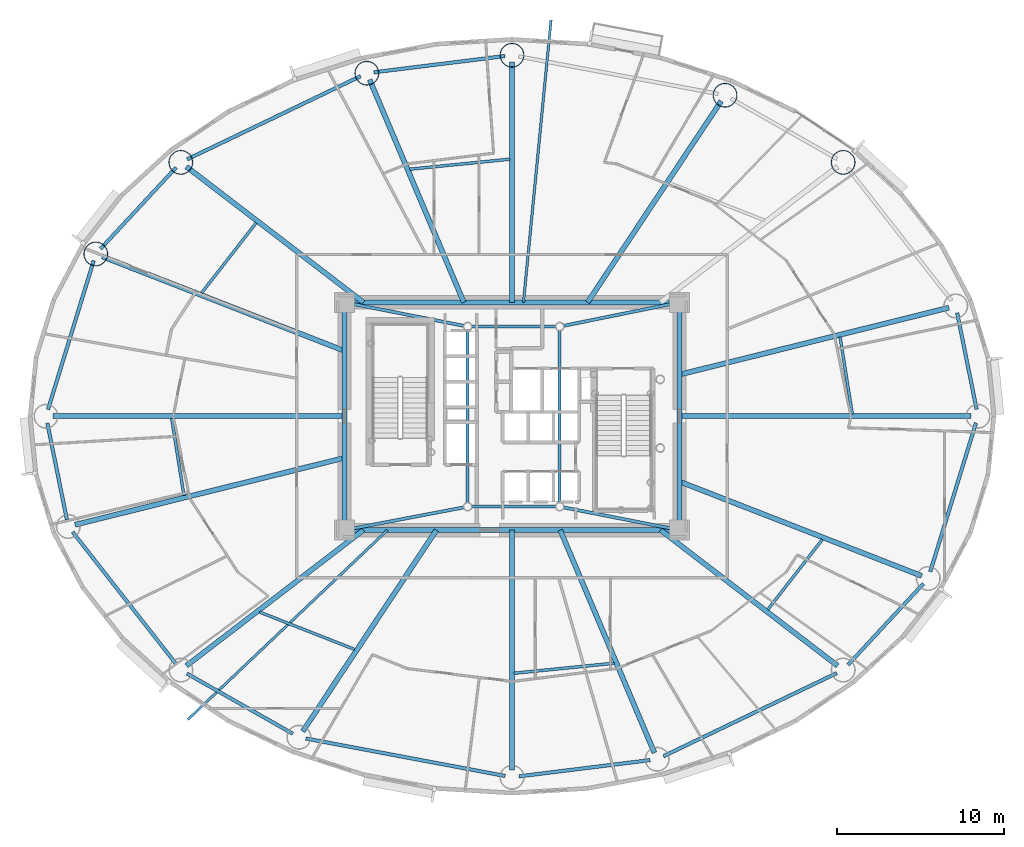
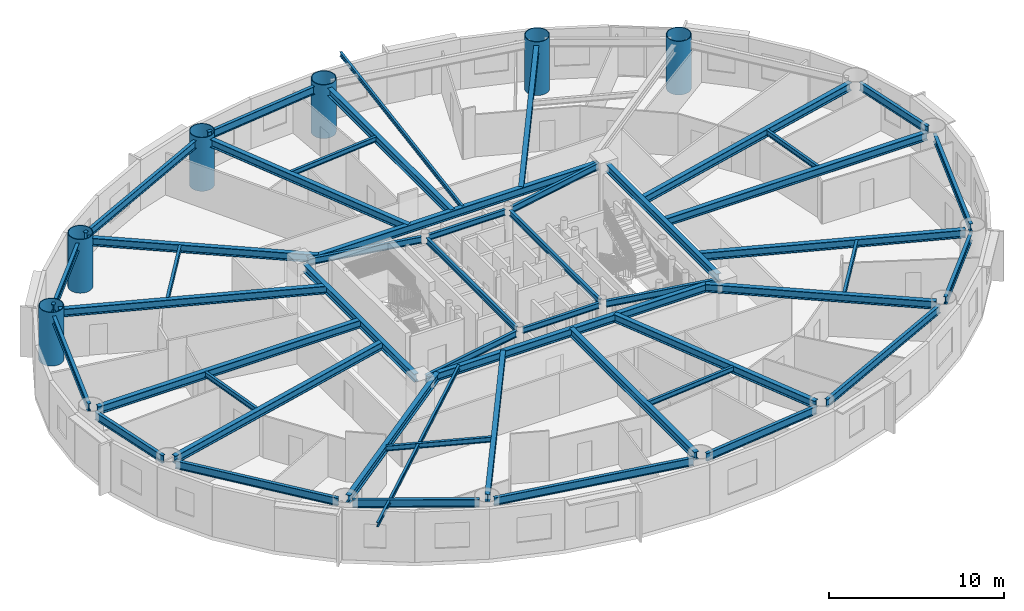
# One storey, part 3 of 20: 49 beams, 6 columns.
"""IFC4 building model written with IfcOpenShell, lengths in metres."""

import ifcopenshell
import ifcopenshell.guid

model = None  # the IFC model being written
_history = None  # IfcOwnerHistory: only IFC2X3 demands one
_inside = {}  # id of a spatial element -> (the spatial element, [elements in it])
_under = {}  # id of a project, library or spatial element -> (it, [spatial elements below it])
_declared = {}  # id of a project -> (the project, [libraries it declares])
_typed = {}  # id of a type object -> (the type object, [elements of that type])
_made_of = {}  # id of a material, layer set ... -> (it, [elements and type objects made of it])


def new_model(schema):
    """Start an empty IFC model of exactly this schema.

    Asked for "IFC4X3", IfcOpenShell would pick the latest addendum, in which some entities
    have other attributes; the version numbers below select the first issue.
    IFC2X3 requires an IfcOwnerHistory on every rooted entity: one is made here for all.
    """
    global model, _history
    if schema == "IFC4X3":
        model = ifcopenshell.file(schema_version=(4, 3, 0, 0))
    else:
        model = ifcopenshell.file(schema=schema)
    _inside.clear()
    _under.clear()
    _declared.clear()
    _typed.clear()
    _made_of.clear()
    _history = None
    if model.schema == "IFC2X3":
        org = make("IfcOrganization", Name="unknown")
        user = make(
            "IfcPersonAndOrganization",
            ThePerson=make("IfcPerson", FamilyName="unknown"),
            TheOrganization=org,
        )
        app = make(
            "IfcApplication",
            ApplicationDeveloper=org,
            Version="unknown",
            ApplicationFullName="unknown",
            ApplicationIdentifier="unknown",
        )
        _history = make(
            "IfcOwnerHistory",
            OwningUser=user,
            OwningApplication=app,
            ChangeAction="ADDED",
            CreationDate=0,
        )
    return model


def make(cls, **values):
    """One entity of the class cls with the attributes given. An attribute that is None is left unset."""
    return model.create_entity(
        cls, **{name: value for name, value in values.items() if value is not None}
    )


def rooted(cls, **values):
    """An entity with a GlobalId (a new one), such as an element, a storey or a relation."""
    return make(cls, GlobalId=ifcopenshell.guid.new(), OwnerHistory=_history, **values)


def si_unit(unit_type, name, prefix=None):
    """IfcSIUnit, for example si_unit("LENGTHUNIT", "METRE", prefix="MILLI")."""
    return make("IfcSIUnit", UnitType=unit_type, Prefix=prefix, Name=name)


def assignment(units):
    """IfcUnitAssignment: the units of a project."""
    return None if units is None else make("IfcUnitAssignment", Units=units)


def point(xyz):
    """IfcCartesianPoint."""
    return None if xyz is None else make("IfcCartesianPoint", Coordinates=xyz)


def direction(xyz):
    """IfcDirection."""
    return None if xyz is None else make("IfcDirection", DirectionRatios=xyz)


def frame(location, z_axis=None, x_axis=None):
    """IfcAxis2Placement3D, a coordinate frame: its origin and axes. An axis left out is left unset."""
    return make(
        "IfcAxis2Placement3D",
        Location=point(location),
        Axis=direction(z_axis),
        RefDirection=direction(x_axis),
    )


def frame_2d(location, x_axis=None):
    """IfcAxis2Placement2D, a coordinate frame in the plane: its origin and x axis."""
    return make(
        "IfcAxis2Placement2D", Location=point(location), RefDirection=direction(x_axis)
    )


def origin():
    """The frame at (0, 0, 0) with its axes left unset."""
    return frame((0.0, 0.0, 0.0))


def origin_2d():
    """The frame at (0, 0) in the plane with its x axis left unset."""
    return frame_2d((0.0, 0.0))


def place(relative_to, where):
    """IfcLocalPlacement: puts the frame where relative to a parent placement (None: the world)."""
    return make(
        "IfcLocalPlacement", PlacementRelTo=relative_to, RelativePlacement=where
    )


def context(
    kind, dimensions, precision=None, world=None, true_north=None, identifier=None
):
    """IfcGeometricRepresentationContext, for example the 3D "Model" context."""
    return make(
        "IfcGeometricRepresentationContext",
        ContextIdentifier=identifier,
        ContextType=kind,
        CoordinateSpaceDimension=dimensions,
        Precision=precision,
        WorldCoordinateSystem=world,
        TrueNorth=true_north,
    )


def subcontext(parent, identifier, kind, view, scale=None):
    """IfcGeometricRepresentationSubContext, for example "Body" below "Model"."""
    return make(
        "IfcGeometricRepresentationSubContext",
        ContextIdentifier=identifier,
        ContextType=kind,
        ParentContext=parent,
        TargetScale=scale,
        TargetView=view,
    )


def project(units=None, contexts=None):
    """IfcProject with its units and contexts."""
    return rooted(
        "IfcProject",
        Name="project",
        RepresentationContexts=contexts,
        UnitsInContext=assignment(units),
    )


def spatial(cls, under=None, at=None, **own):
    """A site, building, storey or space (cls), placed at a placement, below another one or the project."""
    s = rooted(cls, ObjectPlacement=at, **own)
    if under is not None:
        _under.setdefault(under.id(), (under, []))[1].append(s)
    return s


def profile(cls, at=None, kind="AREA", **sizes):
    """A parametric profile (cls). Its sizes go by their IFC names, for example OverallWidth=200.0."""
    return make(cls, ProfileType=kind, Position=at, **sizes)


def hollow_circle(**sizes):
    """IfcCircleHollowProfileDef."""
    return profile("IfcCircleHollowProfileDef", **sizes)


def i_section(**sizes):
    """IfcIShapeProfileDef."""
    return profile("IfcIShapeProfileDef", **sizes)


def extrude(swept, where, along, depth):
    """IfcExtrudedAreaSolid: the profile swept, set in the frame where, extruded along a direction by depth."""
    return make(
        "IfcExtrudedAreaSolid",
        SweptArea=swept,
        Position=where,
        ExtrudedDirection=direction(along),
        Depth=depth,
    )


def shape(context_of_items, identifier, shape_type, items):
    """IfcShapeRepresentation: the items that make up one representation, for example the "Body"."""
    return make(
        "IfcShapeRepresentation",
        ContextOfItems=context_of_items,
        RepresentationIdentifier=identifier,
        RepresentationType=shape_type,
        Items=items,
    )


def material(Name=None, Category=None):
    """IfcMaterial."""
    return make("IfcMaterial", Name=Name, Category=Category)


def material_profile(
    of_material, cross_section, Name=None, Category=None, Priority=None
):
    """IfcMaterialProfile: a cross section and its material."""
    return make(
        "IfcMaterialProfile",
        Name=Name,
        Material=of_material,
        Profile=cross_section,
        Priority=Priority,
        Category=Category,
    )


def profile_set(profiles, Name=None, composite=None):
    """IfcMaterialProfileSet."""
    return make(
        "IfcMaterialProfileSet",
        Name=Name,
        MaterialProfiles=profiles,
        CompositeProfile=composite,
    )


def made_of(thing, what):
    """Note that an element or type object is made of a material, layer set ...; save() writes the relation."""
    if what is not None:
        _made_of.setdefault(what.id(), (what, []))[1].append(thing)
    return thing


def type_object(cls, material=None, **own):
    """A type object (cls), such as IfcWallType, which elements share."""
    return made_of(rooted(cls, **own), material)


def element(
    cls,
    number,
    at=None,
    inside=None,
    cuts=None,
    type_object=None,
    material=None,
    context=None,
    identifier="Body",
    shape_type=None,
    held_by="IfcProductDefinitionShape",
    body=None,
    shapes=None,
    **own,
):
    """One element of the class cls, such as IfcWall. Its Tag is "e" and its number.

    at: its placement. inside: the storey or other place that contains it. cuts: it is an
    opening in that element (IfcRelVoidsElement). A single representation is given by context,
    identifier, shape_type and body (its items); several are given by shapes. held_by: the class
    of the entity that holds the representations. save() writes the other relations.
    """
    e = rooted(cls, Tag="e%d" % number, ObjectPlacement=at, **own)
    if body is not None:
        shapes = [shape(context, identifier, shape_type, body)]
    if shapes is not None:
        e.Representation = make(held_by, Representations=shapes)
    if inside is not None:
        _inside.setdefault(inside.id(), (inside, []))[1].append(e)
    if cuts is not None:
        rooted(
            "IfcRelVoidsElement", RelatingBuildingElement=cuts, RelatedOpeningElement=e
        )
    if type_object is not None:
        _typed.setdefault(type_object.id(), (type_object, []))[1].append(e)
    return made_of(e, material)


def aggregate(whole, parts):
    """IfcRelAggregates: a whole, such as a stair, and the parts it consists of."""
    return rooted("IfcRelAggregates", RelatingObject=whole, RelatedObjects=parts)


def save(model, path):
    """Write the relations noted so far, then the file.

    IfcRelAggregates (storeys below a building ...), IfcRelContainedInSpatialStructure (elements
    in a storey), IfcRelDefinesByType, IfcRelAssociatesMaterial and IfcRelDeclares: one each for
    every whole, place, type object, material and project.
    """
    for whole, parts in _under.values():
        aggregate(whole, parts)
    for where, things in _inside.values():
        rooted(
            "IfcRelContainedInSpatialStructure",
            RelatedElements=things,
            RelatingStructure=where,
        )
    for kind, things in _typed.values():
        rooted("IfcRelDefinesByType", RelatedObjects=things, RelatingType=kind)
    for what, things in _made_of.values():
        rooted("IfcRelAssociatesMaterial", RelatedObjects=things, RelatingMaterial=what)
    for by, libraries in _declared.values():
        rooted("IfcRelDeclares", RelatingContext=by, RelatedDefinitions=libraries)
    model.write(path)


model = new_model("IFC4")

# Units and contexts
model_context = context("Model", 3, precision=1e-05, world=origin(), true_north=direction((0.0, 1.0)))
body_context = subcontext(model_context, "Body", "Model", "MODEL_VIEW")
ifc_project = project(units=[si_unit("LENGTHUNIT", "METRE"), si_unit("AREAUNIT", "SQUARE_METRE"), si_unit("VOLUMEUNIT", "CUBIC_METRE"), si_unit("PLANEANGLEUNIT", "RADIAN"), si_unit("MASSUNIT", "GRAM", prefix="KILO")], contexts=[model_context])

# Site, building, storey
site_placement = place(None, origin())
site = spatial("IfcSite", under=ifc_project, at=site_placement, CompositionType="ELEMENT")
building_placement = place(site_placement, origin())
building = spatial("IfcBuilding", under=site, at=building_placement, Name="Linh Dai School and Residence Tower", CompositionType="ELEMENT")
storey_placement = place(building_placement, frame((0.0, 0.0, 127.199951171875)))
storey = spatial("IfcBuildingStorey", under=building, at=storey_placement, Name="L30", CompositionType="ELEMENT", Elevation=127.199951171875)

# Columns
ifc_material = material(Name="Structural Steel S355JR", Category="steel")
ifc_material_profile_1 = material_profile(ifc_material, hollow_circle(Radius=0.72509765625, WallThickness=0.0419921875, at=origin_2d()), Name="CHS 1450x42")
ifc_profile_set_1 = profile_set([ifc_material_profile_1], Name="Structural Steel S355JR")
column_type = type_object("IfcColumnType", Name="COL-MC3", PredefinedType="COLUMN", material=ifc_profile_set_1)
for number, where, z_axis, x_axis, name in (
    (1, (55.772705078125, 42.155517578125, 0.0), (0.0, 0.0, 1.0), (1.0, 0.0, 0.0), "L30 Perimeter CFT Mega-Column MC03"),
    (2, (48.721923828125, 46.1650390625, 0.0), (0.0, 0.0, 1.0), (1.0, 0.0, 0.0), "L30 Perimeter CFT Mega-Column MC04"),
    (3, (36.0, 48.554931640625, 0.0), (0.0, 0.0, 1.0), (1.0, 0.0, 0.0), "L30 Perimeter CFT Mega-Column MC05"),
    (4, (27.33447265625, 47.480712890625, 0.0), (0.0, 0.0, 1.0), (1.0, 0.0, 0.0), "L30 Perimeter CFT Mega-Column MC06"),
    (5, (16.227294921875, 42.155517578125, 0.0), (0.0, 0.0, 1.0), (1.0, 0.0, 0.0), "L30 Perimeter CFT Mega-Column MC07"),
    (6, (11.15087890625, 36.6875, 0.0), (0.0, 0.0, 1.0), (1.0, 0.0, 0.0), "L30 Perimeter CFT Mega-Column MC08"),
):
    element("IfcColumn", number, at=place(storey_placement, frame(where, z_axis=z_axis, x_axis=x_axis)), inside=storey, type_object=column_type, Name=name, PredefinedType="COLUMN", context=body_context, shape_type="SweptSolid", body=[
        extrude(hollow_circle(Radius=0.72509765625, WallThickness=0.0419921875, at=origin_2d()), origin(), (0.0, 0.0, 1.0), 3.75),
    ])

# Beams
ifc_material_profile_2 = material_profile(ifc_material, i_section(OverallWidth=0.14990234375, OverallDepth=0.300048828125, WebThickness=0.007080078125, FlangeThickness=0.0107421875, at=origin_2d()), Name="IPE 300")
ifc_profile_set_2 = profile_set([ifc_material_profile_2], Name="Structural Steel S355JR")
beam_type_1 = type_object("IfcBeamType", Name="BM-BALC-CANT", PredefinedType="BEAM", material=ifc_profile_set_2)
beam_1_placement = place(storey_placement, frame((36.684814453125, 33.800048828125, 3.35009765625), z_axis=(0.097287416525, 0.995256328081, 0.0), x_axis=(-0.995256328081, 0.097287416525, 0.0)))
element("IfcBeam", 7, at=beam_1_placement, inside=storey, type_object=beam_type_1, Name="L31 Balcony Continuous Cantilever Beam 10", PredefinedType="BEAM", context=body_context, shape_type="SweptSolid", body=[
    extrude(i_section(OverallWidth=0.14990234375, OverallDepth=0.300048828125, WebThickness=0.007080078125, FlangeThickness=0.0107421875, at=origin_2d()), origin(), (0.0, 0.0, 1.0), 16.928955078125),
])
beam_2_placement = place(storey_placement, frame((28.565673828125, 20.199951171875, 3.35009765625), z_axis=(-0.725187762116, -0.688551167073, 0.0), x_axis=(0.688551167073, -0.725187762116, 0.0)))
element("IfcBeam", 8, at=beam_2_placement, inside=storey, type_object=beam_type_1, Name="L31 Balcony Continuous Cantilever Beam 26", PredefinedType="BEAM", context=body_context, shape_type="SweptSolid", body=[
    extrude(i_section(OverallWidth=0.14990234375, OverallDepth=0.300048828125, WebThickness=0.007080078125, FlangeThickness=0.0107421875, at=origin_2d()), origin(), (0.0, 0.0, 1.0), 16.439697265625),
])
ifc_material_profile_3 = material_profile(ifc_material, i_section(OverallWidth=0.2099609375, OverallDepth=0.550048828125, WebThickness=0.010986328125, FlangeThickness=0.01708984375, FilletRadius=0.02392578125, at=origin_2d()), Name="IPE 550")
ifc_profile_set_3 = profile_set([ifc_material_profile_3], Name="Structural Steel S355JR")
beam_type_2 = type_object("IfcBeamType", Name="BM-RB55", PredefinedType="BEAM", material=ifc_profile_set_3)
beam_3_placement = place(storey_placement, frame((63.74169921875, 27.41162109375, 3.22509765625), z_axis=(-0.198441254313, 0.980112783605, 0.0), x_axis=(-0.980112783605, -0.198441254313, 0.0)))
element("IfcBeam", 9, at=beam_3_placement, inside=storey, type_object=beam_type_2, Name="L30 Perimeter Elliptical Ring Beam 01", PredefinedType="BEAM", context=body_context, shape_type="SweptSolid", body=[
    extrude(i_section(OverallWidth=0.2099609375, OverallDepth=0.550048828125, WebThickness=0.010986328125, FlangeThickness=0.01708984375, FilletRadius=0.02392578125, at=origin_2d()), origin(), (0.0, 0.0, 1.0), 5.874755859375),
])
beam_4_placement = place(storey_placement, frame((35.583251953125, 48.50341796875, 3.22509765625), z_axis=(-0.992399234854, -0.123059979933, 0.0), x_axis=(0.123059979933, -0.992399234854, 0.0)))
element("IfcBeam", 10, at=beam_4_placement, inside=storey, type_object=beam_type_2, Name="L30 Perimeter Elliptical Ring Beam 05", PredefinedType="BEAM", context=body_context, shape_type="SweptSolid", body=[
    extrude(i_section(OverallWidth=0.2099609375, OverallDepth=0.550048828125, WebThickness=0.010986328125, FlangeThickness=0.01708984375, FilletRadius=0.02392578125, at=origin_2d()), origin(), (0.0, 0.0, 1.0), 7.89208984375),
])
beam_5_placement = place(storey_placement, frame((26.955810546875, 47.299072265625, 3.22509765625), z_axis=(-0.901715153312, -0.432330640005, 0.0), x_axis=(0.432330640005, -0.901715153312, 0.0)))
element("IfcBeam", 11, at=beam_5_placement, inside=storey, type_object=beam_type_2, Name="L30 Perimeter Elliptical Ring Beam 06", PredefinedType="BEAM", context=body_context, shape_type="SweptSolid", body=[
    extrude(i_section(OverallWidth=0.2099609375, OverallDepth=0.550048828125, WebThickness=0.010986328125, FlangeThickness=0.01708984375, FilletRadius=0.02392578125, at=origin_2d()), origin(), (0.0, 0.0, 1.0), 11.477783203125),
])
beam_6_placement = place(storey_placement, frame((15.941650390625, 41.84765625, 3.22509765625), z_axis=(-0.680384623752, -0.732855213369, 0.0), x_axis=(0.732855213369, -0.680384623752, 0.0)))
element("IfcBeam", 12, at=beam_6_placement, inside=storey, type_object=beam_type_2, Name="L30 Perimeter Elliptical Ring Beam 07", PredefinedType="BEAM", context=body_context, shape_type="SweptSolid", body=[
    extrude(i_section(OverallWidth=0.2099609375, OverallDepth=0.550048828125, WebThickness=0.010986328125, FlangeThickness=0.01708984375, FilletRadius=0.02392578125, at=origin_2d()), origin(), (0.0, 0.0, 1.0), 6.62109375),
])
beam_7_placement = place(storey_placement, frame((11.027587890625, 36.2861328125, 3.22509765625), z_axis=(-0.29364097848, -0.95591577859, 0.0), x_axis=(0.95591577859, -0.29364097848, 0.0)))
element("IfcBeam", 13, at=beam_7_placement, inside=storey, type_object=beam_type_2, Name="L30 Perimeter Elliptical Ring Beam 08", PredefinedType="BEAM", context=body_context, shape_type="SweptSolid", body=[
    extrude(i_section(OverallWidth=0.2099609375, OverallDepth=0.550048828125, WebThickness=0.010986328125, FlangeThickness=0.01708984375, FilletRadius=0.02392578125, at=origin_2d()), origin(), (0.0, 0.0, 1.0), 9.29443359375),
])
beam_8_placement = place(storey_placement, frame((8.25830078125, 26.58837890625, 3.22509765625), z_axis=(0.198441254313, -0.980112783605, 0.0), x_axis=(0.980112783605, 0.198441254313, 0.0)))
element("IfcBeam", 14, at=beam_8_placement, inside=storey, type_object=beam_type_2, Name="L30 Perimeter Elliptical Ring Beam 09", PredefinedType="BEAM", context=body_context, shape_type="SweptSolid", body=[
    extrude(i_section(OverallWidth=0.2099609375, OverallDepth=0.550048828125, WebThickness=0.010986328125, FlangeThickness=0.01708984375, FilletRadius=0.02392578125, at=origin_2d()), origin(), (0.0, 0.0, 1.0), 5.874755859375),
])
beam_9_placement = place(storey_placement, frame((9.766357421875, 20.08837890625, 3.22509765625), z_axis=(0.616854830973, -0.787076945098, 0.0), x_axis=(0.787076945098, 0.616854830973, 0.0)))
element("IfcBeam", 15, at=beam_9_placement, inside=storey, type_object=beam_type_2, Name="L30 Perimeter Elliptical Ring Beam 10", PredefinedType="BEAM", context=body_context, shape_type="SweptSolid", body=[
    extrude(i_section(OverallWidth=0.2099609375, OverallDepth=0.550048828125, WebThickness=0.010986328125, FlangeThickness=0.01708984375, FilletRadius=0.02392578125, at=origin_2d()), origin(), (0.0, 0.0, 1.0), 10.053955078125),
])
beam_10_placement = place(storey_placement, frame((16.592529296875, 11.636962890625, 3.22509765625), z_axis=(0.86927031475, -0.494337050902, 0.0), x_axis=(0.494337050902, 0.86927031475, 0.0)))
element("IfcBeam", 16, at=beam_10_placement, inside=storey, type_object=beam_type_2, Name="L30 Perimeter Elliptical Ring Beam 11", PredefinedType="BEAM", context=body_context, shape_type="SweptSolid", body=[
    extrude(i_section(OverallWidth=0.2099609375, OverallDepth=0.550048828125, WebThickness=0.010986328125, FlangeThickness=0.01708984375, FilletRadius=0.02392578125, at=origin_2d()), origin(), (0.0, 0.0, 1.0), 7.270751953125),
])
beam_11_placement = place(storey_placement, frame((23.69091796875, 7.75732421875, 3.22509765625), z_axis=(0.982807507457, -0.184633158685, 0.0), x_axis=(0.184633158685, 0.982807507457, 0.0)))
element("IfcBeam", 17, at=beam_11_placement, inside=storey, type_object=beam_type_2, Name="L30 Perimeter Elliptical Ring Beam 12", PredefinedType="BEAM", context=body_context, shape_type="SweptSolid", body=[
    extrude(i_section(OverallWidth=0.2099609375, OverallDepth=0.550048828125, WebThickness=0.010986328125, FlangeThickness=0.01708984375, FilletRadius=0.02392578125, at=origin_2d()), origin(), (0.0, 0.0, 1.0), 12.104248046875),
])
beam_12_placement = place(storey_placement, frame((36.416748046875, 5.49658203125, 3.22509765625), z_axis=(0.992399234854, 0.123059979933, 0.0), x_axis=(-0.123059979933, 0.992399234854, 0.0)))
element("IfcBeam", 18, at=beam_12_placement, inside=storey, type_object=beam_type_2, Name="L30 Perimeter Elliptical Ring Beam 13", PredefinedType="BEAM", context=body_context, shape_type="SweptSolid", body=[
    extrude(i_section(OverallWidth=0.2099609375, OverallDepth=0.550048828125, WebThickness=0.010986328125, FlangeThickness=0.01708984375, FilletRadius=0.02392578125, at=origin_2d()), origin(), (0.0, 0.0, 1.0), 7.89208984375),
])
beam_13_placement = place(storey_placement, frame((45.044189453125, 6.700927734375, 3.22509765625), z_axis=(0.901715153312, 0.432330640005, 0.0), x_axis=(-0.432330640005, 0.901715153312, 0.0)))
element("IfcBeam", 19, at=beam_13_placement, inside=storey, type_object=beam_type_2, Name="L30 Perimeter Elliptical Ring Beam 14", PredefinedType="BEAM", context=body_context, shape_type="SweptSolid", body=[
    extrude(i_section(OverallWidth=0.2099609375, OverallDepth=0.550048828125, WebThickness=0.010986328125, FlangeThickness=0.01708984375, FilletRadius=0.02392578125, at=origin_2d()), origin(), (0.0, 0.0, 1.0), 11.477783203125),
])
beam_14_placement = place(storey_placement, frame((56.058349609375, 12.15234375, 3.22509765625), z_axis=(0.680384623752, 0.732855213369, 0.0), x_axis=(-0.732855213369, 0.680384623752, 0.0)))
element("IfcBeam", 20, at=beam_14_placement, inside=storey, type_object=beam_type_2, Name="L30 Perimeter Elliptical Ring Beam 15", PredefinedType="BEAM", context=body_context, shape_type="SweptSolid", body=[
    extrude(i_section(OverallWidth=0.2099609375, OverallDepth=0.550048828125, WebThickness=0.010986328125, FlangeThickness=0.01708984375, FilletRadius=0.02392578125, at=origin_2d()), origin(), (0.0, 0.0, 1.0), 6.62109375),
])
beam_15_placement = place(storey_placement, frame((60.972412109375, 17.7138671875, 3.22509765625), z_axis=(0.29364097848, 0.95591577859, 0.0), x_axis=(-0.95591577859, 0.29364097848, 0.0)))
element("IfcBeam", 21, at=beam_15_placement, inside=storey, type_object=beam_type_2, Name="L30 Perimeter Elliptical Ring Beam 16", PredefinedType="BEAM", context=body_context, shape_type="SweptSolid", body=[
    extrude(i_section(OverallWidth=0.2099609375, OverallDepth=0.550048828125, WebThickness=0.010986328125, FlangeThickness=0.01708984375, FilletRadius=0.02392578125, at=origin_2d()), origin(), (0.0, 0.0, 1.0), 9.29443359375),
])
ifc_material_profile_4 = material_profile(ifc_material, i_section(OverallWidth=0.300048828125, OverallDepth=0.550048828125, WebThickness=0.014892578125, FlangeThickness=0.029052734375, FilletRadius=0.027099609375, at=origin_2d()), Name="HEB 550")
ifc_profile_set_4 = profile_set([ifc_material_profile_4], Name="Structural Steel S355JR")
beam_type_3 = type_object("IfcBeamType", Name="BM-RG55", PredefinedType="BEAM", material=ifc_profile_set_4)
beam_16_placement = place(storey_placement, frame((26.419921875, 20.199951171875, 3.22509765625), z_axis=(1.0, 0.0, 0.0), x_axis=(0.0, 1.0, 0.0)))
element("IfcBeam", 22, at=beam_16_placement, inside=storey, type_object=beam_type_3, Name="L30 Core Perimeter Coupling Girder 1", PredefinedType="BEAM", context=body_context, shape_type="SweptSolid", body=[
    extrude(i_section(OverallWidth=0.300048828125, OverallDepth=0.550048828125, WebThickness=0.014892578125, FlangeThickness=0.029052734375, FilletRadius=0.027099609375, at=origin_2d()), origin(), (0.0, 0.0, 1.0), 19.16015625),
])
beam_17_placement = place(storey_placement, frame((46.0, 20.6201171875, 3.22509765625), z_axis=(0.0, 1.0, 0.0), x_axis=(-1.0, 0.0, 0.0)))
element("IfcBeam", 23, at=beam_17_placement, inside=storey, type_object=beam_type_3, Name="L30 Core Perimeter Coupling Girder 2", PredefinedType="BEAM", context=body_context, shape_type="SweptSolid", body=[
    extrude(i_section(OverallWidth=0.300048828125, OverallDepth=0.550048828125, WebThickness=0.014892578125, FlangeThickness=0.029052734375, FilletRadius=0.027099609375, at=origin_2d()), origin(), (0.0, 0.0, 1.0), 12.759765625),
])
beam_18_placement = place(storey_placement, frame((45.580078125, 33.800048828125, 3.22509765625), z_axis=(-1.0, 0.0, 0.0), x_axis=(0.0, -1.0, 0.0)))
element("IfcBeam", 24, at=beam_18_placement, inside=storey, type_object=beam_type_3, Name="L30 Core Perimeter Coupling Girder 3", PredefinedType="BEAM", context=body_context, shape_type="SweptSolid", body=[
    extrude(i_section(OverallWidth=0.300048828125, OverallDepth=0.550048828125, WebThickness=0.014892578125, FlangeThickness=0.029052734375, FilletRadius=0.027099609375, at=origin_2d()), origin(), (0.0, 0.0, 1.0), 19.16015625),
])
beam_19_placement = place(storey_placement, frame((26.0, 33.3798828125, 3.22509765625), z_axis=(0.0, -1.0, 0.0), x_axis=(1.0, 0.0, 0.0)))
element("IfcBeam", 25, at=beam_19_placement, inside=storey, type_object=beam_type_3, Name="L30 Core Perimeter Coupling Girder 4", PredefinedType="BEAM", context=body_context, shape_type="SweptSolid", body=[
    extrude(i_section(OverallWidth=0.300048828125, OverallDepth=0.550048828125, WebThickness=0.014892578125, FlangeThickness=0.029052734375, FilletRadius=0.027099609375, at=origin_2d()), origin(), (0.0, 0.0, 1.0), 12.759765625),
])
beam_20_placement = place(storey_placement, frame((46.0, 27.0, 3.22509765625), z_axis=(1.0, 0.0, 0.0), x_axis=(0.0, 1.0, 0.0)))
element("IfcBeam", 26, at=beam_20_placement, inside=storey, type_object=beam_type_3, Name="L30 Primary Radial Floor Girder 01", PredefinedType="BEAM", context=body_context, shape_type="SweptSolid", body=[
    extrude(i_section(OverallWidth=0.300048828125, OverallDepth=0.550048828125, WebThickness=0.014892578125, FlangeThickness=0.029052734375, FilletRadius=0.027099609375, at=origin_2d()), origin(), (0.0, 0.0, 1.0), 17.405029296875),
])
beam_21_placement = place(storey_placement, frame((46.0, 29.484130859375, 3.22509765625), z_axis=(0.970505338376, 0.241079630379, 0.0), x_axis=(-0.241079630379, 0.970505338376, 0.0)))
element("IfcBeam", 27, at=beam_21_placement, inside=storey, type_object=beam_type_3, Name="L30 Primary Radial Floor Girder 02", PredefinedType="BEAM", context=body_context, shape_type="SweptSolid", body=[
    extrude(i_section(OverallWidth=0.300048828125, OverallDepth=0.550048828125, WebThickness=0.014892578125, FlangeThickness=0.029052734375, FilletRadius=0.027099609375, at=origin_2d()), origin(), (0.0, 0.0, 1.0), 16.57373046875),
])
beam_22_placement = place(storey_placement, frame((40.513916015625, 33.800048828125, 3.22509765625), z_axis=(0.553054392401, 0.833145148846, 0.0), x_axis=(-0.833145148846, 0.553054392401, 0.0)))
element("IfcBeam", 28, at=beam_22_placement, inside=storey, type_object=beam_type_3, Name="L30 Primary Radial Floor Girder 04", PredefinedType="BEAM", context=body_context, shape_type="SweptSolid", body=[
    extrude(i_section(OverallWidth=0.300048828125, OverallDepth=0.550048828125, WebThickness=0.014892578125, FlangeThickness=0.029052734375, FilletRadius=0.027099609375, at=origin_2d()), origin(), (0.0, 0.0, 1.0), 14.42138671875),
])
beam_23_placement = place(storey_placement, frame((36.0, 33.800048828125, 3.22509765625), z_axis=(0.0, 1.0, 0.0), x_axis=(-1.0, 0.0, 0.0)))
element("IfcBeam", 29, at=beam_23_placement, inside=storey, type_object=beam_type_3, Name="L30 Primary Radial Floor Girder 05", PredefinedType="BEAM", context=body_context, shape_type="SweptSolid", body=[
    extrude(i_section(OverallWidth=0.300048828125, OverallDepth=0.550048828125, WebThickness=0.014892578125, FlangeThickness=0.029052734375, FilletRadius=0.027099609375, at=origin_2d()), origin(), (0.0, 0.0, 1.0), 14.3349609375),
])
beam_24_placement = place(storey_placement, frame((33.122802734375, 33.800048828125, 3.22509765625), z_axis=(-0.389669233739, 0.920954878524, 0.0), x_axis=(-0.920954878524, -0.389669233739, 0.0)))
element("IfcBeam", 30, at=beam_24_placement, inside=storey, type_object=beam_type_3, Name="L30 Primary Radial Floor Girder 06", PredefinedType="BEAM", context=body_context, shape_type="SweptSolid", body=[
    extrude(i_section(OverallWidth=0.300048828125, OverallDepth=0.550048828125, WebThickness=0.014892578125, FlangeThickness=0.029052734375, FilletRadius=0.027099609375, at=origin_2d()), origin(), (0.0, 0.0, 1.0), 14.434814453125),
])
beam_25_placement = place(storey_placement, frame((27.12841796875, 33.800048828125, 3.22509765625), z_axis=(-0.793678660795, 0.608337228352, 0.0), x_axis=(-0.608337228352, -0.793678660795, 0.0)))
element("IfcBeam", 31, at=beam_25_placement, inside=storey, type_object=beam_type_3, Name="L30 Primary Radial Floor Girder 07", PredefinedType="BEAM", context=body_context, shape_type="SweptSolid", body=[
    extrude(i_section(OverallWidth=0.300048828125, OverallDepth=0.550048828125, WebThickness=0.014892578125, FlangeThickness=0.029052734375, FilletRadius=0.027099609375, at=origin_2d()), origin(), (0.0, 0.0, 1.0), 13.314697265625),
])
beam_26_placement = place(storey_placement, frame((26.0, 30.8984375, 3.22509765625), z_axis=(-0.931699338449, 0.363230426498, 0.0), x_axis=(-0.363230426498, -0.931699338449, 0.0)))
element("IfcBeam", 32, at=beam_26_placement, inside=storey, type_object=beam_type_3, Name="L30 Primary Radial Floor Girder 08", PredefinedType="BEAM", context=body_context, shape_type="SweptSolid", body=[
    extrude(i_section(OverallWidth=0.300048828125, OverallDepth=0.550048828125, WebThickness=0.014892578125, FlangeThickness=0.029052734375, FilletRadius=0.027099609375, at=origin_2d()), origin(), (0.0, 0.0, 1.0), 15.517578125),
])
beam_27_placement = place(storey_placement, frame((26.0, 27.0, 3.22509765625), z_axis=(-1.0, 0.0, 0.0), x_axis=(0.0, -1.0, 0.0)))
element("IfcBeam", 33, at=beam_27_placement, inside=storey, type_object=beam_type_3, Name="L30 Primary Radial Floor Girder 09", PredefinedType="BEAM", context=body_context, shape_type="SweptSolid", body=[
    extrude(i_section(OverallWidth=0.300048828125, OverallDepth=0.550048828125, WebThickness=0.014892578125, FlangeThickness=0.029052734375, FilletRadius=0.027099609375, at=origin_2d()), origin(), (0.0, 0.0, 1.0), 17.405029296875),
])
beam_28_placement = place(storey_placement, frame((26.0, 24.515869140625, 3.22509765625), z_axis=(-0.970505338376, -0.241079630379, 0.0), x_axis=(0.241079630379, -0.970505338376, 0.0)))
element("IfcBeam", 34, at=beam_28_placement, inside=storey, type_object=beam_type_3, Name="L30 Primary Radial Floor Girder 10", PredefinedType="BEAM", context=body_context, shape_type="SweptSolid", body=[
    extrude(i_section(OverallWidth=0.300048828125, OverallDepth=0.550048828125, WebThickness=0.014892578125, FlangeThickness=0.029052734375, FilletRadius=0.027099609375, at=origin_2d()), origin(), (0.0, 0.0, 1.0), 16.57373046875),
])
beam_29_placement = place(storey_placement, frame((27.12841796875, 20.199951171875, 3.22509765625), z_axis=(-0.793678660795, -0.608337228352, 0.0), x_axis=(0.608337228352, -0.793678660795, 0.0)))
element("IfcBeam", 35, at=beam_29_placement, inside=storey, type_object=beam_type_3, Name="L30 Primary Radial Floor Girder 11", PredefinedType="BEAM", context=body_context, shape_type="SweptSolid", body=[
    extrude(i_section(OverallWidth=0.300048828125, OverallDepth=0.550048828125, WebThickness=0.014892578125, FlangeThickness=0.029052734375, FilletRadius=0.027099609375, at=origin_2d()), origin(), (0.0, 0.0, 1.0), 13.314697265625),
])
beam_30_placement = place(storey_placement, frame((31.486083984375, 20.199951171875, 3.22509765625), z_axis=(-0.553054392401, -0.833145148846, 0.0), x_axis=(0.833145148846, -0.553054392401, 0.0)))
element("IfcBeam", 36, at=beam_30_placement, inside=storey, type_object=beam_type_3, Name="L30 Primary Radial Floor Girder 12", PredefinedType="BEAM", context=body_context, shape_type="SweptSolid", body=[
    extrude(i_section(OverallWidth=0.300048828125, OverallDepth=0.550048828125, WebThickness=0.014892578125, FlangeThickness=0.029052734375, FilletRadius=0.027099609375, at=origin_2d()), origin(), (0.0, 0.0, 1.0), 14.42138671875),
])
beam_31_placement = place(storey_placement, frame((36.0, 20.199951171875, 3.22509765625), z_axis=(0.0, -1.0, 0.0), x_axis=(1.0, 0.0, 0.0)))
element("IfcBeam", 37, at=beam_31_placement, inside=storey, type_object=beam_type_3, Name="L30 Primary Radial Floor Girder 13", PredefinedType="BEAM", context=body_context, shape_type="SweptSolid", body=[
    extrude(i_section(OverallWidth=0.300048828125, OverallDepth=0.550048828125, WebThickness=0.014892578125, FlangeThickness=0.029052734375, FilletRadius=0.027099609375, at=origin_2d()), origin(), (0.0, 0.0, 1.0), 14.3349609375),
])
beam_32_placement = place(storey_placement, frame((38.877197265625, 20.199951171875, 3.22509765625), z_axis=(0.389669233739, -0.920954878524, 0.0), x_axis=(0.920954878524, 0.389669233739, 0.0)))
element("IfcBeam", 38, at=beam_32_placement, inside=storey, type_object=beam_type_3, Name="L30 Primary Radial Floor Girder 14", PredefinedType="BEAM", context=body_context, shape_type="SweptSolid", body=[
    extrude(i_section(OverallWidth=0.300048828125, OverallDepth=0.550048828125, WebThickness=0.014892578125, FlangeThickness=0.029052734375, FilletRadius=0.027099609375, at=origin_2d()), origin(), (0.0, 0.0, 1.0), 14.434814453125),
])
beam_33_placement = place(storey_placement, frame((44.87158203125, 20.199951171875, 3.22509765625), z_axis=(0.793678660795, -0.608337228352, 0.0), x_axis=(0.608337228352, 0.793678660795, 0.0)))
element("IfcBeam", 39, at=beam_33_placement, inside=storey, type_object=beam_type_3, Name="L30 Primary Radial Floor Girder 15", PredefinedType="BEAM", context=body_context, shape_type="SweptSolid", body=[
    extrude(i_section(OverallWidth=0.300048828125, OverallDepth=0.550048828125, WebThickness=0.014892578125, FlangeThickness=0.029052734375, FilletRadius=0.027099609375, at=origin_2d()), origin(), (0.0, 0.0, 1.0), 13.314697265625),
])
beam_34_placement = place(storey_placement, frame((46.0, 23.1015625, 3.22509765625), z_axis=(0.931699338449, -0.363230426498, 0.0), x_axis=(0.363230426498, 0.931699338449, 0.0)))
element("IfcBeam", 40, at=beam_34_placement, inside=storey, type_object=beam_type_3, Name="L30 Primary Radial Floor Girder 16", PredefinedType="BEAM", context=body_context, shape_type="SweptSolid", body=[
    extrude(i_section(OverallWidth=0.300048828125, OverallDepth=0.550048828125, WebThickness=0.014892578125, FlangeThickness=0.029052734375, FilletRadius=0.027099609375, at=origin_2d()), origin(), (0.0, 0.0, 1.0), 15.517578125),
])
ifc_material_profile_5 = material_profile(ifc_material, i_section(OverallWidth=0.169921875, OverallDepth=0.360107421875, WebThickness=0.008056640625, FlangeThickness=0.0126953125, FilletRadius=0.01806640625, at=origin_2d()), Name="IPE 360")
ifc_profile_set_5 = profile_set([ifc_material_profile_5], Name="Structural Steel S355JR")
beam_type_4 = type_object("IfcBeamType", Name="BM-SB36", PredefinedType="BEAM", material=ifc_profile_set_5)
beam_35_placement = place(storey_placement, frame((56.318115234375, 27.12841796875, 3.320068359375), z_axis=(-0.15702217033, 0.987595077967, 0.0), x_axis=(-0.987595077967, -0.15702217033, 0.0)))
element("IfcBeam", 41, at=beam_35_placement, inside=storey, type_object=beam_type_4, Name="L30 Secondary Circumferential Floor Beam 01", PredefinedType="BEAM", context=body_context, shape_type="SweptSolid", body=[
    extrude(i_section(OverallWidth=0.169921875, OverallDepth=0.360107421875, WebThickness=0.008056640625, FlangeThickness=0.0126953125, FilletRadius=0.01806640625, at=origin_2d()), origin(), (0.0, 0.0, 1.0), 4.661376953125),
])
beam_36_placement = place(storey_placement, frame((35.87060546875, 42.344970703125, 3.320068359375), z_axis=(-0.995039604987, -0.099479568287, 0.0), x_axis=(0.099479568287, -0.995039604987, 0.0)))
element("IfcBeam", 42, at=beam_36_placement, inside=storey, type_object=beam_type_4, Name="L30 Secondary Circumferential Floor Beam 03", PredefinedType="BEAM", context=body_context, shape_type="SweptSolid", body=[
    extrude(i_section(OverallWidth=0.169921875, OverallDepth=0.360107421875, WebThickness=0.008056640625, FlangeThickness=0.0126953125, FilletRadius=0.01806640625, at=origin_2d()), origin(), (0.0, 0.0, 1.0), 6.00537109375),
])
beam_37_placement = place(storey_placement, frame((20.725830078125, 38.543701171875, 3.320068359375), z_axis=(-0.614322948635, -0.789054696951, 0.0), x_axis=(0.789054696951, -0.614322948635, 0.0)))
element("IfcBeam", 43, at=beam_37_placement, inside=storey, type_object=beam_type_4, Name="L30 Secondary Circumferential Floor Beam 04", PredefinedType="BEAM", context=body_context, shape_type="SweptSolid", body=[
    extrude(i_section(OverallWidth=0.169921875, OverallDepth=0.360107421875, WebThickness=0.008056640625, FlangeThickness=0.0126953125, FilletRadius=0.01806640625, at=origin_2d()), origin(), (0.0, 0.0, 1.0), 5.303955078125),
])
beam_38_placement = place(storey_placement, frame((15.681884765625, 26.87158203125, 3.320068359375), z_axis=(0.15702217033, -0.987595077967, 0.0), x_axis=(0.987595077967, 0.15702217033, 0.0)))
element("IfcBeam", 44, at=beam_38_placement, inside=storey, type_object=beam_type_4, Name="L30 Secondary Circumferential Floor Beam 05", PredefinedType="BEAM", context=body_context, shape_type="SweptSolid", body=[
    extrude(i_section(OverallWidth=0.169921875, OverallDepth=0.360107421875, WebThickness=0.008056640625, FlangeThickness=0.0126953125, FilletRadius=0.01806640625, at=origin_2d()), origin(), (0.0, 0.0, 1.0), 4.661376953125),
])
beam_39_placement = place(storey_placement, frame((20.9267578125, 15.306396484375, 3.320068359375), z_axis=(0.930755385045, -0.365642466365, 0.0), x_axis=(0.365642466365, 0.930755385045, 0.0)))
element("IfcBeam", 45, at=beam_39_placement, inside=storey, type_object=beam_type_4, Name="L30 Secondary Circumferential Floor Beam 06", PredefinedType="BEAM", context=body_context, shape_type="SweptSolid", body=[
    extrude(i_section(OverallWidth=0.169921875, OverallDepth=0.360107421875, WebThickness=0.008056640625, FlangeThickness=0.0126953125, FilletRadius=0.01806640625, at=origin_2d()), origin(), (0.0, 0.0, 1.0), 6.10009765625),
])
beam_40_placement = place(storey_placement, frame((36.12939453125, 11.655029296875, 3.320068359375), z_axis=(0.995039604987, 0.099479568287, 0.0), x_axis=(-0.099479568287, 0.995039604987, 0.0)))
element("IfcBeam", 46, at=beam_40_placement, inside=storey, type_object=beam_type_4, Name="L30 Secondary Circumferential Floor Beam 07", PredefinedType="BEAM", context=body_context, shape_type="SweptSolid", body=[
    extrude(i_section(OverallWidth=0.169921875, OverallDepth=0.360107421875, WebThickness=0.008056640625, FlangeThickness=0.0126953125, FilletRadius=0.01806640625, at=origin_2d()), origin(), (0.0, 0.0, 1.0), 6.00537109375),
])
beam_41_placement = place(storey_placement, frame((51.274169921875, 15.456298828125, 3.320068359375), z_axis=(0.614322948635, 0.789054696951, 0.0), x_axis=(-0.789054696951, 0.614322948635, 0.0)))
element("IfcBeam", 47, at=beam_41_placement, inside=storey, type_object=beam_type_4, Name="L30 Secondary Circumferential Floor Beam 08", PredefinedType="BEAM", context=body_context, shape_type="SweptSolid", body=[
    extrude(i_section(OverallWidth=0.169921875, OverallDepth=0.360107421875, WebThickness=0.008056640625, FlangeThickness=0.0126953125, FilletRadius=0.01806640625, at=origin_2d()), origin(), (0.0, 0.0, 1.0), 5.303955078125),
])
ifc_material_profile_6 = material_profile(ifc_material, i_section(OverallWidth=0.179931640625, OverallDepth=0.39990234375, WebThickness=0.008544921875, FlangeThickness=0.013427734375, FilletRadius=0.02099609375, at=origin_2d()), Name="IPE 400")
ifc_profile_set_6 = profile_set([ifc_material_profile_6], Name="Structural Steel S355JR")
beam_type_5 = type_object("IfcBeamType", Name="BM-SB40", PredefinedType="BEAM", material=ifc_profile_set_6)
beam_42_placement = place(storey_placement, frame((33.573974609375, 21.60009765625, 3.300048828125), z_axis=(1.0, 0.0, 0.0), x_axis=(0.0, 1.0, 0.0)))
element("IfcBeam", 48, at=beam_42_placement, inside=storey, type_object=beam_type_5, Name="L30 Core Mast Pier Tie Beam 1", PredefinedType="BEAM", context=body_context, shape_type="SweptSolid", body=[
    extrude(i_section(OverallWidth=0.179931640625, OverallDepth=0.39990234375, WebThickness=0.008544921875, FlangeThickness=0.013427734375, FilletRadius=0.02099609375, at=origin_2d()), origin(), (0.0, 0.0, 1.0), 5.052001953125),
])
beam_43_placement = place(storey_placement, frame((38.85009765625, 21.823974609375, 3.300048828125), z_axis=(0.0, 1.0, 0.0), x_axis=(-1.0, 0.0, 0.0)))
element("IfcBeam", 49, at=beam_43_placement, inside=storey, type_object=beam_type_5, Name="L30 Core Mast Pier Tie Beam 2", PredefinedType="BEAM", context=body_context, shape_type="SweptSolid", body=[
    extrude(i_section(OverallWidth=0.179931640625, OverallDepth=0.39990234375, WebThickness=0.008544921875, FlangeThickness=0.013427734375, FilletRadius=0.02099609375, at=origin_2d()), origin(), (0.0, 0.0, 1.0), 10.302001953125),
])
beam_44_placement = place(storey_placement, frame((38.6259765625, 32.35009765625, 3.300048828125), z_axis=(-1.0, 0.0, 0.0), x_axis=(0.0, -1.0, 0.0)))
element("IfcBeam", 50, at=beam_44_placement, inside=storey, type_object=beam_type_5, Name="L30 Core Mast Pier Tie Beam 3", PredefinedType="BEAM", context=body_context, shape_type="SweptSolid", body=[
    extrude(i_section(OverallWidth=0.179931640625, OverallDepth=0.39990234375, WebThickness=0.008544921875, FlangeThickness=0.013427734375, FilletRadius=0.02099609375, at=origin_2d()), origin(), (0.0, 0.0, 1.0), 5.052001953125),
])
beam_45_placement = place(storey_placement, frame((33.35009765625, 32.1259765625, 3.300048828125), z_axis=(0.0, -1.0, 0.0), x_axis=(1.0, 0.0, 0.0)))
element("IfcBeam", 51, at=beam_45_placement, inside=storey, type_object=beam_type_5, Name="L30 Core Mast Pier Tie Beam 4", PredefinedType="BEAM", context=body_context, shape_type="SweptSolid", body=[
    extrude(i_section(OverallWidth=0.179931640625, OverallDepth=0.39990234375, WebThickness=0.008544921875, FlangeThickness=0.013427734375, FilletRadius=0.02099609375, at=origin_2d()), origin(), (0.0, 0.0, 1.0), 10.302001953125),
])
ifc_material_profile_7 = material_profile(ifc_material, i_section(OverallWidth=0.18994140625, OverallDepth=0.449951171875, WebThickness=0.009521484375, FlangeThickness=0.0146484375, FilletRadius=0.02099609375, at=origin_2d()), Name="IPE 450")
ifc_profile_set_7 = profile_set([ifc_material_profile_7], Name="Structural Steel S355JR")
beam_type_6 = type_object("IfcBeamType", Name="BM-SB45", PredefinedType="BEAM", material=ifc_profile_set_7)
beam_46_placement = place(storey_placement, frame((26.41259765625, 20.278564453125, 3.275146484375), z_axis=(0.982337003886, 0.187120311019, 0.0), x_axis=(-0.187120311019, 0.982337003886, 0.0)))
element("IfcBeam", 52, at=beam_46_placement, inside=storey, type_object=beam_type_6, Name="L30 Core Corner-to-Mast Pier Beam 1", PredefinedType="BEAM", context=body_context, shape_type="SweptSolid", body=[
    extrude(i_section(OverallWidth=0.18994140625, OverallDepth=0.449951171875, WebThickness=0.009521484375, FlangeThickness=0.0146484375, FilletRadius=0.02099609375, at=origin_2d()), origin(), (0.0, 0.0, 1.0), 6.838134765625),
])
beam_47_placement = place(storey_placement, frame((45.587890625, 20.28076171875, 3.275146484375), z_axis=(-0.981368554414, 0.192134745446, 0.0), x_axis=(-0.192134745446, -0.981368554414, 0.0)))
element("IfcBeam", 53, at=beam_47_placement, inside=storey, type_object=beam_type_6, Name="L30 Core Corner-to-Mast Pier Beam 2", PredefinedType="BEAM", context=body_context, shape_type="SweptSolid", body=[
    extrude(i_section(OverallWidth=0.18994140625, OverallDepth=0.449951171875, WebThickness=0.009521484375, FlangeThickness=0.0146484375, FilletRadius=0.02099609375, at=origin_2d()), origin(), (0.0, 0.0, 1.0), 6.641845703125),
])
beam_48_placement = place(storey_placement, frame((45.58837890625, 33.716552734375, 3.275146484375), z_axis=(-0.980049140776, -0.19875533116, 0.0), x_axis=(0.19875533116, -0.980049140776, 0.0)))
element("IfcBeam", 54, at=beam_48_placement, inside=storey, type_object=beam_type_6, Name="L30 Core Corner-to-Mast Pier Beam 3", PredefinedType="BEAM", context=body_context, shape_type="SweptSolid", body=[
    extrude(i_section(OverallWidth=0.18994140625, OverallDepth=0.449951171875, WebThickness=0.009521484375, FlangeThickness=0.0146484375, FilletRadius=0.02099609375, at=origin_2d()), origin(), (0.0, 0.0, 1.0), 6.651611328125),
])
beam_49_placement = place(storey_placement, frame((26.412109375, 33.71875, 3.275146484375), z_axis=(0.981087482999, -0.193564848828, 0.0), x_axis=(0.193564848828, 0.981087482999, 0.0)))
element("IfcBeam", 55, at=beam_49_placement, inside=storey, type_object=beam_type_6, Name="L30 Core Corner-to-Mast Pier Beam 4", PredefinedType="BEAM", context=body_context, shape_type="SweptSolid", body=[
    extrude(i_section(OverallWidth=0.18994140625, OverallDepth=0.449951171875, WebThickness=0.009521484375, FlangeThickness=0.0146484375, FilletRadius=0.02099609375, at=origin_2d()), origin(), (0.0, 0.0, 1.0), 6.847412109375),
])

save(model, "model.ifc")
